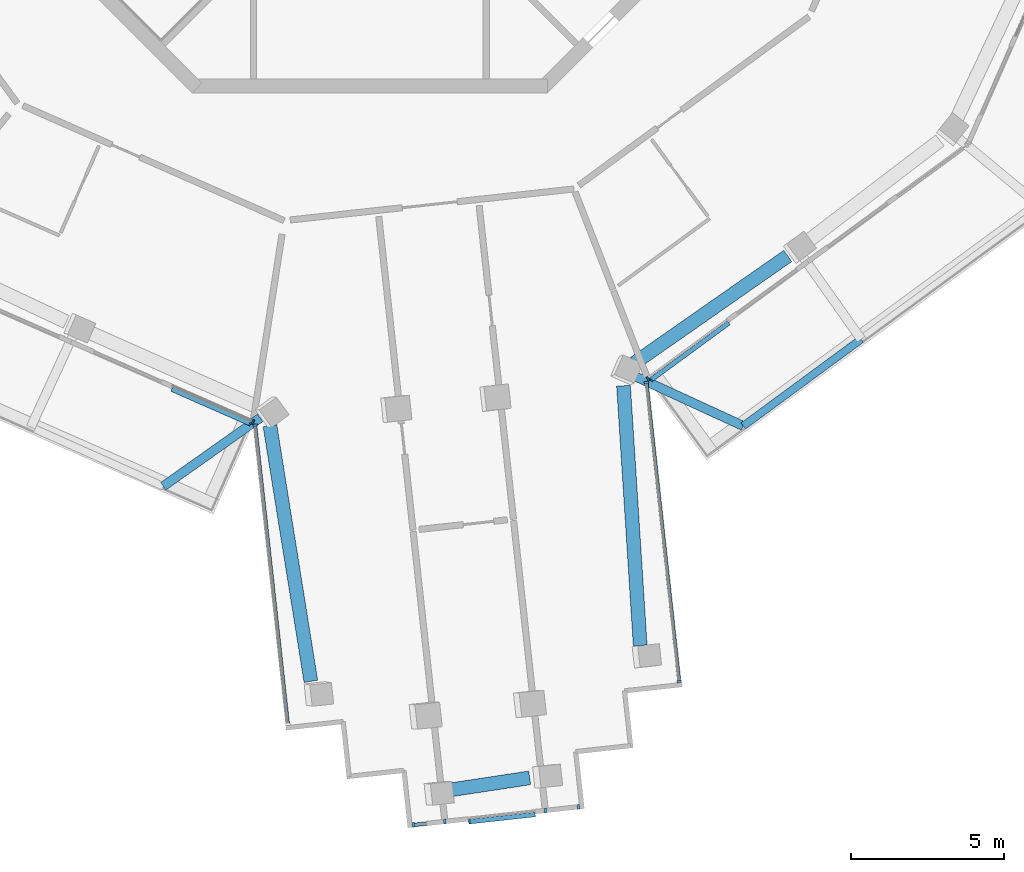
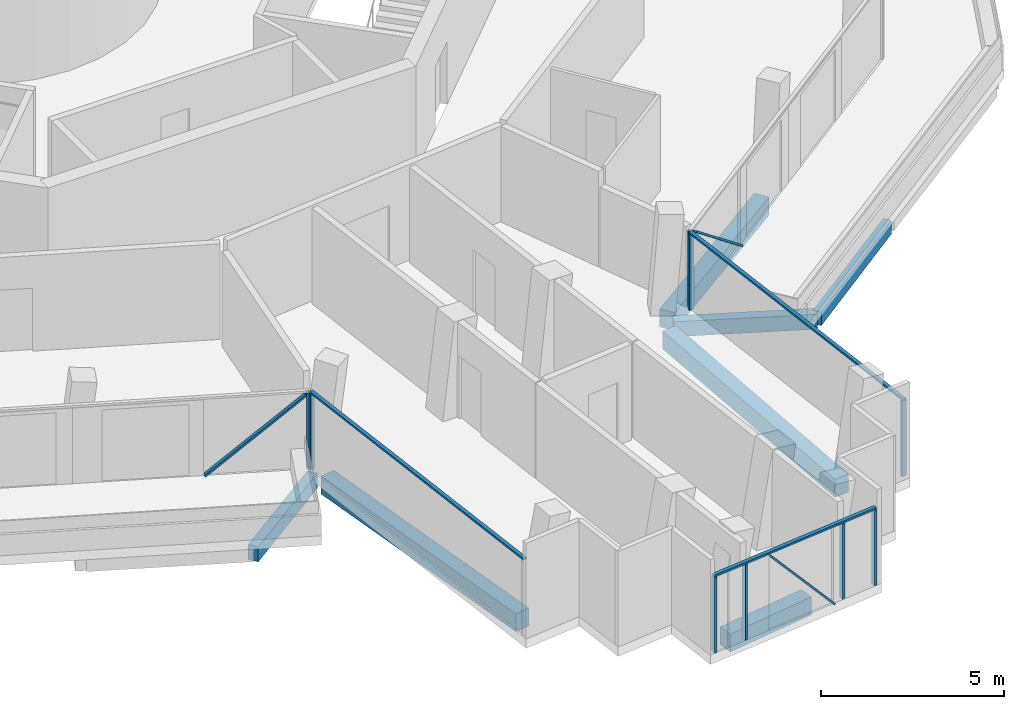
# One storey, part 3 of 24: 15 members, 7 beams, 5 elements without a shape of their own.
"""IFC4 building model written with IfcOpenShell, lengths in metres."""

from ifc_helpers import new_model, si_unit, direction, frame, origin, origin_2d, place, context, subcontext, project, spatial, rectangle, extrude, material, layer, layer_set, material_profile, profile_set, type_object, element, aggregate, save


model = new_model("IFC4")

# Units and contexts
model_context = context("Model", 3, precision=1e-05, world=origin(), true_north=direction((0.0, 1.0)))
body_context = subcontext(model_context, "Body", "Model", "MODEL_VIEW")
ifc_project = project(units=[si_unit("LENGTHUNIT", "METRE"), si_unit("AREAUNIT", "SQUARE_METRE"), si_unit("VOLUMEUNIT", "CUBIC_METRE"), si_unit("PLANEANGLEUNIT", "RADIAN"), si_unit("MASSUNIT", "GRAM", prefix="KILO")], contexts=[model_context])

# Site, building, storey
site_placement = place(None, origin())
site = spatial("IfcSite", under=ifc_project, at=site_placement, CompositionType="ELEMENT")
building_placement = place(site_placement, origin())
building = spatial("IfcBuilding", under=site, at=building_placement, Name="Verdalira Terraces Hotel", CompositionType="ELEMENT")
storey_placement = place(building_placement, frame((0.0, 0.0, 303.0)))
storey = spatial("IfcBuildingStorey", under=building, at=storey_placement, Name="L75", CompositionType="ELEMENT", Elevation=303.0)

# Beams
ifc_material_1 = material(Name="Concrete C40", Category="concrete")
ifc_material_profile_1 = material_profile(ifc_material_1, rectangle(XDim=0.300049, YDim=0.5, at=origin_2d()), Name="RC 300X500")
ifc_profile_set_1 = profile_set([ifc_material_profile_1], Name="Concrete C40")
beam_type_1 = type_object("IfcBeamType", Name="Balcony cantilever beam RC 300X500 C40", PredefinedType="BEAM", material=ifc_profile_set_1)
beam_1_placement = place(storey_placement, frame((-3.587891, -24.608398, -0.560059), z_axis=(-0.816316973, -0.577604189, 0.0), x_axis=(0.577604189, -0.816316973, 0.0)))
element("IfcBeam", 1, at=beam_1_placement, inside=storey, type_object=beam_type_1, Name="Balcony cantilever beam R12-2", PredefinedType="BEAM", context=body_context, shape_type="SweptSolid", body=[
    extrude(rectangle(XDim=0.300049, YDim=0.5, at=origin_2d()), origin(), (0.0, 0.0, 1.0), 3.870117),
])
beam_2_placement = place(storey_placement, frame((8.599854, -23.222168, -0.560059), z_axis=(0.908353358, -0.418203512, 0.0), x_axis=(0.418203512, 0.908353358, 0.0)))
element("IfcBeam", 2, at=beam_2_placement, inside=storey, type_object=beam_type_1, Name="Balcony cantilever beam R25-1", PredefinedType="BEAM", context=body_context, shape_type="SweptSolid", body=[
    extrude(rectangle(XDim=0.300049, YDim=0.5, at=origin_2d()), origin(), (0.0, 0.0, 1.0), 3.949951),
])
ifc_material_2 = material(Name="Concrete C40", Category="concrete")
ifc_material_profile_2 = material_profile(ifc_material_2, rectangle(XDim=0.25, YDim=0.449951, at=origin_2d()), Name="RC 250X450")
ifc_profile_set_2 = profile_set([ifc_material_profile_2], Name="Concrete C40")
beam_type_2 = type_object("IfcBeamType", Name="Balcony edge beam RC 250X450 C40", PredefinedType="BEAM", material=ifc_profile_set_2)
beam_3_placement = place(storey_placement, frame((12.187744, -24.874023, -0.534912), z_axis=(0.805458804, 0.592651766, 0.0), x_axis=(-0.592651766, 0.805458804, 0.0)))
element("IfcBeam", 3, at=beam_3_placement, inside=storey, type_object=beam_type_2, Name="Balcony edge beam R25-1", PredefinedType="BEAM", context=body_context, shape_type="SweptSolid", body=[
    extrude(rectangle(XDim=0.25, YDim=0.449951, at=origin_2d()), origin(), (0.0, 0.0, 1.0), 4.779297),
])

# Curtain wall, member
ifc_material_3 = material(Name="Clear glass", Category="glass")
ifc_layer_1 = layer(ifc_material_3, 0.14990234375)
ifc_layer_set_1 = layer_set([ifc_layer_1], Name="CW1 curtain wall")
curtain_wall_type_1 = type_object("IfcCurtainWallType", Name="CW1 curtain wall", PredefinedType="NOTDEFINED", material=ifc_layer_set_1)
curtain_wall_1_placement = place(storey_placement, origin())
curtain_wall_1 = element("IfcCurtainWall", 4, at=curtain_wall_1_placement, inside=storey, type_object=curtain_wall_type_1, Name="CW1 curtain wall L75 edge 13", PredefinedType="NOTDEFINED")
ifc_material_4 = material(Name="Terracotta frame", Category="masonry")
ifc_material_profile_3 = material_profile(ifc_material_4, rectangle(XDim=0.060059, YDim=0.149902, at=origin_2d()), Name="MU 60x150")
ifc_profile_set_3 = profile_set([ifc_material_profile_3], Name="Terracotta frame")
member_type_1 = type_object("IfcMemberType", Name="CW1 mullion 60x150", PredefinedType="MULLION", material=ifc_profile_set_3)
member_1_placement = place(storey_placement, frame((-3.822021, -24.740479, 0.0), z_axis=(0.0, 0.0, 1.0), x_axis=(0.915241173, -0.402906436, 0.0)))
member_1 = element("IfcMember", 5, at=member_1_placement, type_object=member_type_1, Name="CW1 mullion", PredefinedType="MULLION", context=body_context, shape_type="SweptSolid", body=[
    extrude(rectangle(XDim=0.060059, YDim=0.149902, at=origin_2d()), origin(), (0.0, 0.0, 1.0), 2.524902),
])

curtain_wall_2_placement = place(storey_placement, origin())
curtain_wall_2 = element("IfcCurtainWall", 6, at=curtain_wall_2_placement, inside=storey, type_object=curtain_wall_type_1, Name="CW1 curtain wall L75 edge 25", PredefinedType="NOTDEFINED")
member_2_placement = place(storey_placement, frame((9.078125, -23.329834, 0.0), z_axis=(0.0, 0.0, 1.0), x_axis=(0.806547795, 0.591168888, 0.0)))
member_2 = element("IfcMember", 7, at=member_2_placement, type_object=member_type_1, Name="CW1 mullion", PredefinedType="MULLION", context=body_context, shape_type="SweptSolid", body=[
    extrude(rectangle(XDim=0.060059, YDim=0.149902, at=origin_2d()), origin(), (0.0, 0.0, 1.0), 2.524902),
])

ifc_material_5 = material(Name="Clear glass", Category="glass")
ifc_layer_2 = layer(ifc_material_5, 0.14990234375)
ifc_layer_set_2 = layer_set([ifc_layer_2], Name="CW2 curtain wall")
curtain_wall_type_2 = type_object("IfcCurtainWallType", Name="CW2 curtain wall", PredefinedType="NOTDEFINED", material=ifc_layer_set_2)
curtain_wall_3_placement = place(storey_placement, origin())
curtain_wall_3 = element("IfcCurtainWall", 8, at=curtain_wall_3_placement, inside=storey, type_object=curtain_wall_type_2, Name="CW2 curtain wall L75 edge 14", PredefinedType="NOTDEFINED")
ifc_material_6 = material(Name="Terracotta frame", Category="masonry")
ifc_material_profile_4 = material_profile(ifc_material_6, rectangle(XDim=0.070068, YDim=0.149902, at=origin_2d()), Name="MU 70x150")
ifc_profile_set_4 = profile_set([ifc_material_profile_4], Name="Terracotta frame")
member_type_2 = type_object("IfcMemberType", Name="CW2 mullion 70x150", PredefinedType="MULLION", material=ifc_profile_set_4)
member_3_placement = place(storey_placement, frame((-3.746338, -24.847656, 0.0), z_axis=(0.0, 0.0, 1.0), x_axis=(0.108693378, -0.994075324, 0.0)))
member_3 = element("IfcMember", 9, at=member_3_placement, type_object=member_type_2, Name="CW2 mullion", PredefinedType="MULLION", context=body_context, shape_type="SweptSolid", body=[
    extrude(rectangle(XDim=0.070068, YDim=0.149902, at=origin_2d()), origin(), (0.0, 0.0, 1.0), 2.524902),
])

# Curtain wall, members
curtain_wall_4_placement = place(storey_placement, origin())
curtain_wall_4 = element("IfcCurtainWall", 10, at=curtain_wall_4_placement, inside=storey, type_object=curtain_wall_type_2, Name="CW2 curtain wall L75 edge 24", PredefinedType="NOTDEFINED")
member_4_placement = place(storey_placement, frame((10.095459, -33.218018, 0.0), z_axis=(0.0, 0.0, 1.0), x_axis=(-0.108693378, 0.994075324, 0.0)))
member_4 = element("IfcMember", 11, at=member_4_placement, type_object=member_type_2, Name="CW2 mullion", PredefinedType="MULLION", context=body_context, shape_type="SweptSolid", body=[
    extrude(rectangle(XDim=0.070068, YDim=0.149902, at=origin_2d()), origin(), (0.0, 0.0, 1.0), 2.524902),
])
member_5_placement = place(storey_placement, frame((9.027344, -23.450928, 0.0), z_axis=(0.0, 0.0, 1.0), x_axis=(-0.108693378, 0.994075324, 0.0)))
member_5 = element("IfcMember", 12, at=member_5_placement, type_object=member_type_2, Name="CW2 mullion", PredefinedType="MULLION", context=body_context, shape_type="SweptSolid", body=[
    extrude(rectangle(XDim=0.070068, YDim=0.149902, at=origin_2d()), origin(), (0.0, 0.0, 1.0), 2.524902),
])

# Member
ifc_material_7 = material(Name="Terracotta frame", Category="masonry")
ifc_material_profile_5 = material_profile(ifc_material_7, rectangle(XDim=0.11499, YDim=0.064941, at=origin_2d()), Name="TR 65x115")
ifc_profile_set_5 = profile_set([ifc_material_profile_5], Name="Terracotta frame")
member_type_3 = type_object("IfcMemberType", Name="CW2 transom 65x115", PredefinedType="USERDEFINED", material=ifc_profile_set_5)
member_6_placement = place(storey_placement, frame((-3.750244, -24.812988, 2.557617), z_axis=(0.108706401, -0.9940739, 0.0), x_axis=(0.9940739, 0.108706401, 0.0)))
member_6 = element("IfcMember", 13, at=member_6_placement, type_object=member_type_3, Name="CW2 transom", ObjectType="TRANSOM", PredefinedType="USERDEFINED", context=body_context, shape_type="SweptSolid", body=[
    extrude(rectangle(XDim=0.11499, YDim=0.064941, at=origin_2d()), origin(), (0.0, 0.0, 1.0), 9.895264),
])

aggregate(curtain_wall_3, [member_3, member_6])

member_7_placement = place(storey_placement, frame((10.099121, -33.25293, 2.557617), z_axis=(-0.10868202, 0.994076566, 0.0), x_axis=(-0.994076566, -0.10868202, 0.0)))
member_7 = element("IfcMember", 14, at=member_7_placement, type_object=member_type_3, Name="CW2 transom", ObjectType="TRANSOM", PredefinedType="USERDEFINED", context=body_context, shape_type="SweptSolid", body=[
    extrude(rectangle(XDim=0.11499, YDim=0.064941, at=origin_2d()), origin(), (0.0, 0.0, 1.0), 9.895264),
])

aggregate(curtain_wall_4, [member_4, member_5, member_7])

# Curtain wall, members
ifc_material_8 = material(Name="Clear glass", Category="glass")
ifc_layer_3 = layer(ifc_material_8, 0.14990234375)
ifc_layer_set_3 = layer_set([ifc_layer_3], Name="CW3 curtain wall")
curtain_wall_type_3 = type_object("IfcCurtainWallType", Name="CW3 curtain wall", PredefinedType="NOTDEFINED", material=ifc_layer_set_3)
curtain_wall_5_placement = place(storey_placement, origin())
curtain_wall_5 = element("IfcCurtainWall", 15, at=curtain_wall_5_placement, inside=storey, type_object=curtain_wall_type_3, Name="CW3 curtain wall L75 edge 19", PredefinedType="NOTDEFINED")
ifc_material_9 = material(Name="Terracotta frame", Category="masonry")
ifc_material_profile_6 = material_profile(ifc_material_9, rectangle(XDim=0.080078, YDim=0.149902, at=origin_2d()), Name="MU 80x150")
ifc_profile_set_6 = profile_set([ifc_material_profile_6], Name="Terracotta frame")
member_type_4 = type_object("IfcMemberType", Name="CW3 mullion 80x150", PredefinedType="MULLION", material=ifc_profile_set_6)
member_8_placement = place(storey_placement, frame((1.417725, -37.898926, 0.0), z_axis=(0.0, 0.0, 1.0), x_axis=(0.994075324, 0.108693378, 0.0)))
member_8 = element("IfcMember", 16, at=member_8_placement, type_object=member_type_4, Name="CW3 mullion", PredefinedType="MULLION", context=body_context, shape_type="SweptSolid", body=[
    extrude(rectangle(XDim=0.080078, YDim=0.149902, at=origin_2d()), origin(), (0.0, 0.0, 1.0), 2.524902),
])
member_9_placement = place(storey_placement, frame((2.44751, -37.786377, 0.0), z_axis=(0.0, 0.0, 1.0), x_axis=(0.994075324, 0.108693378, 0.0)))
member_9 = element("IfcMember", 17, at=member_9_placement, type_object=member_type_4, Name="CW3 mullion", PredefinedType="MULLION", context=body_context, shape_type="SweptSolid", body=[
    extrude(rectangle(XDim=0.080078, YDim=0.149902, at=origin_2d()), origin(), (0.0, 0.0, 1.0), 2.524902),
])
member_10_placement = place(storey_placement, frame((5.72583, -37.427979, 0.0), z_axis=(0.0, 0.0, 1.0), x_axis=(0.994075324, 0.108693378, 0.0)))
member_10 = element("IfcMember", 18, at=member_10_placement, type_object=member_type_4, Name="CW3 mullion", PredefinedType="MULLION", context=body_context, shape_type="SweptSolid", body=[
    extrude(rectangle(XDim=0.080078, YDim=0.149902, at=origin_2d()), origin(), (0.0, 0.0, 1.0), 2.524902),
])
member_11_placement = place(storey_placement, frame((6.805664, -37.309814, 0.0), z_axis=(0.0, 0.0, 1.0), x_axis=(0.994075324, 0.108693378, 0.0)))
member_11 = element("IfcMember", 19, at=member_11_placement, type_object=member_type_4, Name="CW3 mullion", PredefinedType="MULLION", context=body_context, shape_type="SweptSolid", body=[
    extrude(rectangle(XDim=0.080078, YDim=0.149902, at=origin_2d()), origin(), (0.0, 0.0, 1.0), 2.524902),
])
ifc_material_10 = material(Name="Terracotta frame", Category="masonry")
ifc_material_profile_7 = material_profile(ifc_material_10, rectangle(XDim=0.120117, YDim=0.064941, at=origin_2d()), Name="TR 65x120")
ifc_profile_set_7 = profile_set([ifc_material_profile_7], Name="Terracotta frame")
member_type_5 = type_object("IfcMemberType", Name="CW3 transom 65x120", PredefinedType="USERDEFINED", material=ifc_profile_set_7)
member_12_placement = place(storey_placement, frame((1.37793, -37.90332, 2.557617), z_axis=(0.994078661, 0.108662852, 0.0), x_axis=(-0.108662852, 0.994078661, 0.0)))
member_12 = element("IfcMember", 20, at=member_12_placement, type_object=member_type_5, Name="CW3 transom", ObjectType="TRANSOM", PredefinedType="USERDEFINED", context=body_context, shape_type="SweptSolid", body=[
    extrude(rectangle(XDim=0.120117, YDim=0.064941, at=origin_2d()), origin(), (0.0, 0.0, 1.0), 5.5),
])

# Member
ifc_material_11 = material(Name="Terracotta frame", Category="masonry")
ifc_material_profile_8 = material_profile(ifc_material_11, rectangle(XDim=0.149902, YDim=0.060059, at=origin_2d()), Name="GB 60x150")
ifc_profile_set_8 = profile_set([ifc_material_profile_8], Name="Terracotta frame")
member_type_6 = type_object("IfcMemberType", Name="Diagonal glazing bar 60x150", PredefinedType="USERDEFINED", material=ifc_profile_set_8)
member_13_placement = place(storey_placement, frame((-6.449951, -23.680664, 0.023682), z_axis=(0.682781162, -0.300607449, 0.665916697), x_axis=(0.402944945, 0.915224219, 0.0)))
member_13 = element("IfcMember", 21, at=member_13_placement, type_object=member_type_6, Name="Diagonal glazing bar", ObjectType="GLAZING BAR", PredefinedType="USERDEFINED", context=body_context, shape_type="SweptSolid", body=[
    extrude(rectangle(XDim=0.149902, YDim=0.060059, at=origin_2d()), origin(), (0.0, 0.0, 1.0), 3.720459),
])

aggregate(curtain_wall_1, [member_1, member_13])

member_14_placement = place(storey_placement, frame((3.245361, -37.792725, 2.497314), z_axis=(0.651211109, 0.071178368, -0.755551276), x_axis=(-0.108654415, 0.994079583, 0.0)))
member_14 = element("IfcMember", 22, at=member_14_placement, type_object=member_type_6, Name="Diagonal glazing bar", ObjectType="GLAZING BAR", PredefinedType="USERDEFINED", context=body_context, shape_type="SweptSolid", body=[
    extrude(rectangle(XDim=0.149902, YDim=0.060059, at=origin_2d()), origin(), (0.0, 0.0, 1.0), 3.268799),
])

aggregate(curtain_wall_5, [member_8, member_9, member_10, member_11, member_12, member_14])

member_15_placement = place(storey_placement, frame((9.180176, -23.365479, 2.500244), z_axis=(0.632402699, 0.463529388, -0.620650733), x_axis=(-0.591170745, 0.806546434, 0.0)))
member_15 = element("IfcMember", 23, at=member_15_placement, type_object=member_type_6, Name="Diagonal glazing bar", ObjectType="GLAZING BAR", PredefinedType="USERDEFINED", context=body_context, shape_type="SweptSolid", body=[
    extrude(rectangle(XDim=0.149902, YDim=0.060059, at=origin_2d()), origin(), (0.0, 0.0, 1.0), 3.98877),
])

aggregate(curtain_wall_2, [member_2, member_15])

# Beams
ifc_material_12 = material(Name="Concrete C40", Category="concrete")
ifc_material_profile_9 = material_profile(ifc_material_12, rectangle(XDim=0.449951, YDim=0.600098, at=origin_2d()), Name="RC 450X600")
ifc_profile_set_9 = profile_set([ifc_material_profile_9], Name="Concrete C40")
beam_type_3 = type_object("IfcBeamType", Name="Spandrel beam RC 450X600 C40", PredefinedType="SPANDREL", material=ifc_profile_set_9)
beam_4_placement = place(storey_placement, frame((-3.263184, -24.864014, -0.610107), z_axis=(0.15810991, -0.987421519, 0.0), x_axis=(0.987421519, 0.15810991, 0.0)))
element("IfcBeam", 24, at=beam_4_placement, inside=storey, type_object=beam_type_3, Name="Spandrel beam B10", PredefinedType="SPANDREL", context=body_context, shape_type="SweptSolid", body=[
    extrude(rectangle(XDim=0.449951, YDim=0.600098, at=origin_2d()), origin(), (0.0, 0.0, 1.0), 8.452393),
])
beam_5_placement = place(storey_placement, frame((2.405029, -36.787354, -0.610107), z_axis=(0.988675394, 0.150069867, 0.0), x_axis=(-0.150069867, 0.988675394, 0.0)))
element("IfcBeam", 25, at=beam_5_placement, inside=storey, type_object=beam_type_3, Name="Spandrel beam B11", PredefinedType="SPANDREL", context=body_context, shape_type="SweptSolid", body=[
    extrude(rectangle(XDim=0.449951, YDim=0.600098, at=origin_2d()), origin(), (0.0, 0.0, 1.0), 2.84375),
])
beam_6_placement = place(storey_placement, frame((8.824219, -32.039062, -0.610107), z_axis=(-0.064169029, 0.997939044, 0.0), x_axis=(-0.997939044, -0.064169029, 0.0)))
element("IfcBeam", 26, at=beam_6_placement, inside=storey, type_object=beam_type_3, Name="Spandrel beam B12", PredefinedType="SPANDREL", context=body_context, shape_type="SweptSolid", body=[
    extrude(rectangle(XDim=0.449951, YDim=0.600098, at=origin_2d()), origin(), (0.0, 0.0, 1.0), 8.49585),
])
beam_7_placement = place(storey_placement, frame((8.641357, -22.813477, -0.610107), z_axis=(0.819989287, 0.572378869, 0.0), x_axis=(-0.572378869, 0.819989287, 0.0)))
element("IfcBeam", 27, at=beam_7_placement, inside=storey, type_object=beam_type_3, Name="Spandrel beam B13", PredefinedType="SPANDREL", context=body_context, shape_type="SweptSolid", body=[
    extrude(rectangle(XDim=0.449951, YDim=0.600098, at=origin_2d()), origin(), (0.0, 0.0, 1.0), 6.097412),
])

save(model, "model.ifc")
